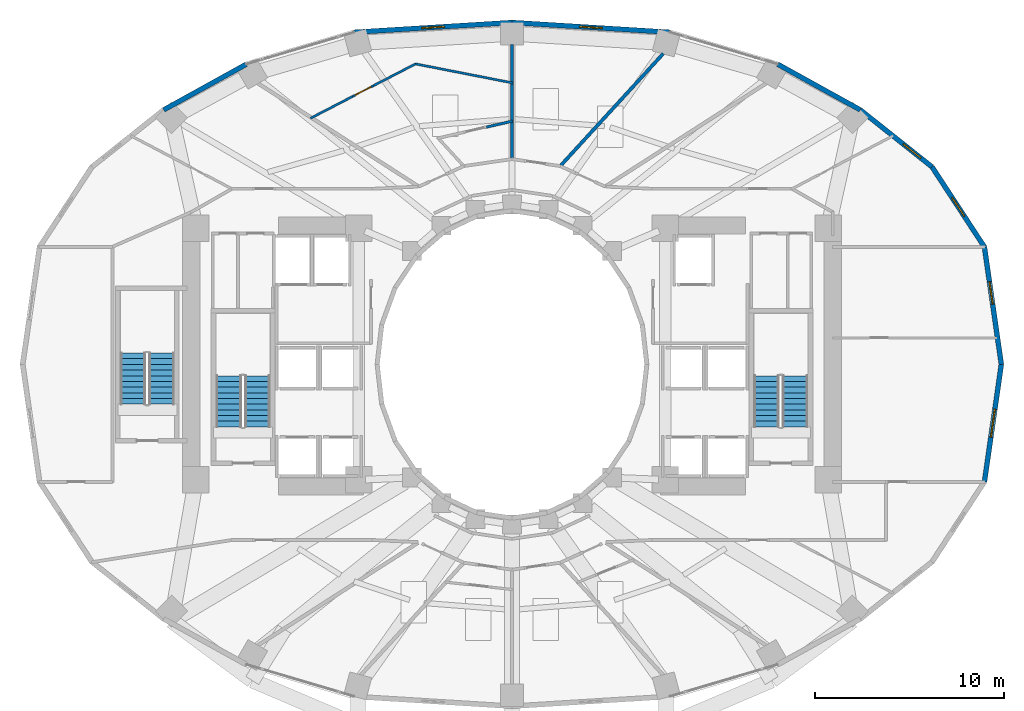
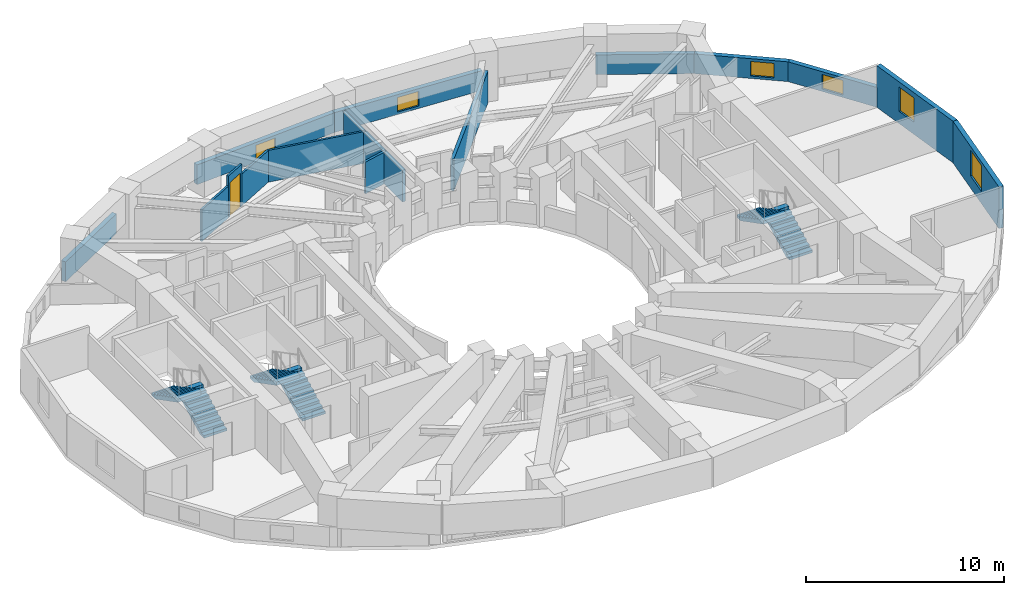
# One storey, part 14 of 17: 15 walls, 6 stair flights, 6 windows, 1 door, 7 openings, 3 elements without a shape of their own.
"""IFC4 building model written with IfcOpenShell, lengths in metres."""

from ifc_helpers import new_model, si_unit, direction, frame, frame_2d, origin, place, context, subcontext, project, spatial, polyline, rectangle, outline, extrude, material, layer, layer_set, type_object, element, fill, aggregate, save


model = new_model("IFC4")

# Units and contexts
model_context = context("Model", 3, precision=1e-05, world=origin(), true_north=direction((0.0, 1.0)))
body_context = subcontext(model_context, "Body", "Model", "MODEL_VIEW")
ifc_project = project(units=[si_unit("LENGTHUNIT", "METRE"), si_unit("AREAUNIT", "SQUARE_METRE"), si_unit("VOLUMEUNIT", "CUBIC_METRE"), si_unit("PLANEANGLEUNIT", "RADIAN"), si_unit("MASSUNIT", "GRAM", prefix="KILO")], contexts=[model_context])

# Site, building, storey
site_placement = place(None, origin())
site = spatial("IfcSite", under=ifc_project, at=site_placement, CompositionType="ELEMENT")
building_placement = place(site_placement, origin())
building = spatial("IfcBuilding", under=site, at=building_placement, Name="Solvane Sanctuary Tower", CompositionType="ELEMENT")
storey_placement = place(building_placement, frame((0.0, 0.0, 52.39990234375)))
storey = spatial("IfcBuildingStorey", under=building, at=storey_placement, Name="L15", CompositionType="ELEMENT", Elevation=52.39990234375)

# Wall, opening, window
ifc_material_1 = material(Name="Precast concrete C40/50", Category="concrete")
ifc_layer_1 = layer(ifc_material_1, 0.260009765625, Name="Precast concrete C40/50")
ifc_layer_set_1 = layer_set([ifc_layer_1], Name="Precast concrete C40/50")
wall_type_1 = type_object("IfcWallType", Name="Wall W-EXT-250", PredefinedType="STANDARD", material=ifc_layer_set_1)
wall_1_placement = place(storey_placement, frame((57.860107421875, 23.0, 0.0), z_axis=(0.0, 0.0, 1.0), x_axis=(-0.142528001686, 0.989790770181, 0.0)))
wall_1 = element("IfcWall", 1, at=wall_1_placement, inside=storey, type_object=wall_type_1, Name="L15 Ceramic-Printed Facade Wall 00", PredefinedType="STANDARD", context=body_context, shape_type="SweptSolid", body=[
    extrude(rectangle(XDim=6.269287109375, YDim=0.260009765625, at=frame_2d((3.134765625, 0.0))), origin(), (0.0, 0.0, 1.0), 2.570068359375),
])
opening_1_placement = place(wall_1_placement, frame((3.216796875, 0.0, 0.75)))
opening_1 = element("IfcOpeningElement", 2, at=opening_1_placement, cuts=wall_1, Name="Opening WN-OPER-1200", PredefinedType="OPENING", context=body_context, shape_type="SweptSolid", body=[
    extrude(rectangle(XDim=1.199951171875, YDim=1.5, at=frame_2d((0.60009765625, 0.75))), frame((0.0, 0.139892578125, 0.0), z_axis=(0.0, -1.0, 0.0), x_axis=(1.0, 0.0, 0.0)), (0.0, 0.0, 1.0), 0.280029296875),
])
ifc_material_2 = material(Name="Dark Ceramic-Fritted Low-E Glass", Category="glass")
window_type_1 = type_object("IfcWindowType", Name="Window WN-OPER-1200", PartitioningType="SINGLE_PANEL", PredefinedType="WINDOW", material=ifc_material_2)
window_1_placement = place(opening_1_placement, origin())
window_1 = element("IfcWindow", 3, at=window_1_placement, inside=storey, type_object=window_type_1, Name="L15 Operable Facade Window 00", OverallHeight=1.5, OverallWidth=1.199951171875, PartitioningType="SINGLE_PANEL", PredefinedType="WINDOW", context=body_context, shape_type="SweptSolid", body=[
    extrude(rectangle(XDim=1.199951171875, YDim=1.5, at=frame_2d((0.60009765625, 0.75))), frame((0.0, 0.030029296875, 0.0), z_axis=(0.0, -1.0, 0.0), x_axis=(1.0, 0.0, 0.0)), (0.0, 0.0, 1.0), 0.06005859375),
])
fill(opening_1, window_1)

wall_2_placement = place(storey_placement, frame((56.966552734375, 29.205322265625, 0.0), z_axis=(0.0, 0.0, 1.0), x_axis=(-0.547702757047, 0.836672988642, 0.0)))
wall_2 = element("IfcWall", 4, at=wall_2_placement, inside=storey, type_object=wall_type_1, Name="L15 Ceramic-Printed Facade Wall 01", PredefinedType="STANDARD", context=body_context, shape_type="SweptSolid", body=[
    extrude(rectangle(XDim=5.0625, YDim=0.260009765625, at=frame_2d((2.53125, 0.0))), origin(), (0.0, 0.0, 1.0), 1.22021484375),
])
opening_2_placement = place(wall_2_placement, frame((1.931396484375, 0.0, 0.14990234375)))
opening_2 = element("IfcOpeningElement", 5, at=opening_2_placement, cuts=wall_2, Name="Opening WN-OPER-1200", PredefinedType="OPENING", context=body_context, shape_type="SweptSolid", body=[
    extrude(rectangle(XDim=1.199951171875, YDim=0.89990234375, at=frame_2d((0.60009765625, 0.449951171875))), frame((0.0, 0.139892578125, 0.0), z_axis=(0.0, -1.0, 0.0), x_axis=(1.0, 0.0, 0.0)), (0.0, 0.0, 1.0), 0.280029296875),
])
window_2_placement = place(opening_2_placement, origin())
window_2 = element("IfcWindow", 6, at=window_2_placement, inside=storey, type_object=window_type_1, Name="L15 Operable Facade Window 01", OverallHeight=0.89990234375, OverallWidth=1.199951171875, PartitioningType="SINGLE_PANEL", PredefinedType="WINDOW", context=body_context, shape_type="SweptSolid", body=[
    extrude(rectangle(XDim=1.199951171875, YDim=0.89990234375, at=frame_2d((0.60009765625, 0.449951171875))), frame((0.0, 0.030029296875, 0.0), z_axis=(0.0, -1.0, 0.0), x_axis=(1.0, 0.0, 0.0)), (0.0, 0.0, 1.0), 0.06005859375),
])
fill(opening_2, window_2)

wall_3_placement = place(storey_placement, frame((54.19384765625, 33.44091796875, 0.0), z_axis=(0.0, 0.0, 1.0), x_axis=(-0.783123133379, 0.621866672179, 0.0)))
wall_3 = element("IfcWall", 7, at=wall_3_placement, inside=storey, type_object=wall_type_1, Name="L15 Ceramic-Printed Facade Wall 02", PredefinedType="STANDARD", context=body_context, shape_type="SweptSolid", body=[
    extrude(rectangle(XDim=4.838623046875, YDim=0.260009765625, at=frame_2d((2.41943359375, 0.0))), origin(), (0.0, 0.0, 1.0), 1.22021484375),
])
opening_3_placement = place(wall_3_placement, frame((0.740966796875, 0.0, 0.14990234375)))
opening_3 = element("IfcOpeningElement", 8, at=opening_3_placement, cuts=wall_3, Name="Opening WN-OPER-1200", PredefinedType="OPENING", context=body_context, shape_type="SweptSolid", body=[
    extrude(rectangle(XDim=1.199951171875, YDim=0.89990234375, at=frame_2d((0.60009765625, 0.449951171875))), frame((0.0, 0.139892578125, 0.0), z_axis=(0.0, -1.0, 0.0), x_axis=(1.0, 0.0, 0.0)), (0.0, 0.0, 1.0), 0.280029296875),
])
window_3_placement = place(opening_3_placement, origin())
window_3 = element("IfcWindow", 9, at=window_3_placement, inside=storey, type_object=window_type_1, Name="L15 Operable Facade Window 02", OverallHeight=0.89990234375, OverallWidth=1.199951171875, PartitioningType="SINGLE_PANEL", PredefinedType="WINDOW", context=body_context, shape_type="SweptSolid", body=[
    extrude(rectangle(XDim=1.199951171875, YDim=0.89990234375, at=frame_2d((0.60009765625, 0.449951171875))), frame((0.0, 0.030029296875, 0.0), z_axis=(0.0, -1.0, 0.0), x_axis=(1.0, 0.0, 0.0)), (0.0, 0.0, 1.0), 0.06005859375),
])
fill(opening_3, window_3)

# Wall
wall_4_placement = place(storey_placement, frame((50.404541015625, 36.449951171875, 0.0), z_axis=(0.0, 0.0, 1.0), x_axis=(-0.875137303239, 0.483874674352, 0.0)))
element("IfcWall", 10, at=wall_4_placement, inside=storey, type_object=wall_type_1, Name="L15 Ceramic-Printed Facade Wall 03", PredefinedType="STANDARD", context=body_context, shape_type="SweptSolid", body=[
    extrude(rectangle(XDim=4.985107421875, YDim=0.260009765625, at=frame_2d((2.49267578125, 0.0))), origin(), (0.0, 0.0, 1.0), 1.22021484375),
])

# Wall, opening, window
wall_5_placement = place(storey_placement, frame((40.331787109375, 40.552978515625, 0.0), z_axis=(0.0, 0.0, 1.0), x_axis=(-0.998090514779, 0.061768311519, 0.0)))
wall_5 = element("IfcWall", 11, at=wall_5_placement, inside=storey, type_object=wall_type_1, Name="L15 Ceramic-Printed Facade Wall 05", PredefinedType="STANDARD", context=body_context, shape_type="SweptSolid", body=[
    extrude(rectangle(XDim=8.34765625, YDim=0.260009765625, at=frame_2d((4.173828125, 0.0))), origin(), (0.0, 0.0, 1.0), 1.22021484375),
])
opening_4_placement = place(wall_5_placement, frame((3.57373046875, 0.0, 0.14990234375)))
opening_4 = element("IfcOpeningElement", 12, at=opening_4_placement, cuts=wall_5, Name="Opening WN-OPER-1200", PredefinedType="OPENING", context=body_context, shape_type="SweptSolid", body=[
    extrude(rectangle(XDim=1.199951171875, YDim=0.89990234375, at=frame_2d((0.60009765625, 0.449951171875))), frame((0.0, 0.139892578125, 0.0), z_axis=(0.0, -1.0, 0.0), x_axis=(1.0, 0.0, 0.0)), (0.0, 0.0, 1.0), 0.280029296875),
])
window_4_placement = place(opening_4_placement, origin())
window_4 = element("IfcWindow", 13, at=window_4_placement, inside=storey, type_object=window_type_1, Name="L15 Operable Facade Window 05", OverallHeight=0.89990234375, OverallWidth=1.199951171875, PartitioningType="SINGLE_PANEL", PredefinedType="WINDOW", context=body_context, shape_type="SweptSolid", body=[
    extrude(rectangle(XDim=1.199951171875, YDim=0.89990234375, at=frame_2d((0.60009765625, 0.449951171875))), frame((0.0, 0.030029296875, 0.0), z_axis=(0.0, -1.0, 0.0), x_axis=(1.0, 0.0, 0.0)), (0.0, 0.0, 1.0), 0.06005859375),
])
fill(opening_4, window_4)

wall_6_placement = place(storey_placement, frame((32.0, 41.068603515625, 0.0), z_axis=(0.0, 0.0, 1.0), x_axis=(-0.998090514779, -0.061768311519, 0.0)))
wall_6 = element("IfcWall", 14, at=wall_6_placement, inside=storey, type_object=wall_type_1, Name="L15 Ceramic-Printed Facade Wall 06", PredefinedType="STANDARD", context=body_context, shape_type="SweptSolid", body=[
    extrude(rectangle(XDim=8.34765625, YDim=0.260009765625, at=frame_2d((4.173828125, 0.0))), origin(), (0.0, 0.0, 1.0), 1.22021484375),
])
opening_5_placement = place(wall_6_placement, frame((3.57373046875, 0.0, 0.14990234375)))
opening_5 = element("IfcOpeningElement", 15, at=opening_5_placement, cuts=wall_6, Name="Opening WN-OPER-1200", PredefinedType="OPENING", context=body_context, shape_type="SweptSolid", body=[
    extrude(rectangle(XDim=1.199951171875, YDim=0.89990234375, at=frame_2d((0.60009765625, 0.449951171875))), frame((0.0, 0.139892578125, 0.0), z_axis=(0.0, -1.0, 0.0), x_axis=(1.0, 0.0, 0.0)), (0.0, 0.0, 1.0), 0.280029296875),
])
window_5_placement = place(opening_5_placement, origin())
window_5 = element("IfcWindow", 16, at=window_5_placement, inside=storey, type_object=window_type_1, Name="L15 Operable Facade Window 06", OverallHeight=0.89990234375, OverallWidth=1.199951171875, PartitioningType="SINGLE_PANEL", PredefinedType="WINDOW", context=body_context, shape_type="SweptSolid", body=[
    extrude(rectangle(XDim=1.199951171875, YDim=0.89990234375, at=frame_2d((0.60009765625, 0.449951171875))), frame((0.0, 0.030029296875, 0.0), z_axis=(0.0, -1.0, 0.0), x_axis=(1.0, 0.0, 0.0)), (0.0, 0.0, 1.0), 0.06005859375),
])
fill(opening_5, window_5)

# Wall
wall_7_placement = place(storey_placement, frame((17.9580078125, 38.862060546875, 0.0), z_axis=(0.0, 0.0, 1.0), x_axis=(-0.875137303239, -0.483874674352, 0.0)))
element("IfcWall", 17, at=wall_7_placement, inside=storey, type_object=wall_type_1, Name="L15 Ceramic-Printed Facade Wall 08", PredefinedType="STANDARD", context=body_context, shape_type="SweptSolid", body=[
    extrude(rectangle(XDim=4.985107421875, YDim=0.260009765625, at=frame_2d((2.49267578125, 0.0))), origin(), (0.0, 0.0, 1.0), 1.22021484375),
])

# Wall, opening, window
wall_8_placement = place(storey_placement, frame((56.966552734375, 16.794677734375, 0.0), z_axis=(0.0, 0.0, 1.0), x_axis=(0.142528001686, 0.989790770181, 0.0)))
wall_8 = element("IfcWall", 18, at=wall_8_placement, inside=storey, type_object=wall_type_1, Name="L15 Ceramic-Printed Facade Wall 23", PredefinedType="STANDARD", context=body_context, shape_type="SweptSolid", body=[
    extrude(rectangle(XDim=6.269287109375, YDim=0.260009765625, at=frame_2d((3.134765625, 0.0))), origin(), (0.0, 0.0, 1.0), 2.570068359375),
])
opening_6_placement = place(wall_8_placement, frame((2.384521484375, 0.0, 0.75)))
opening_6 = element("IfcOpeningElement", 19, at=opening_6_placement, cuts=wall_8, Name="Opening WN-OPER-1500", PredefinedType="OPENING", context=body_context, shape_type="SweptSolid", body=[
    extrude(rectangle(XDim=1.5, YDim=1.60009765625, at=frame_2d((0.75, 0.800048828125))), frame((0.0, 0.139892578125, 0.0), z_axis=(0.0, -1.0, 0.0), x_axis=(1.0, 0.0, 0.0)), (0.0, 0.0, 1.0), 0.280029296875),
])
window_type_2 = type_object("IfcWindowType", Name="Window WN-OPER-1500", PartitioningType="SINGLE_PANEL", PredefinedType="WINDOW", material=ifc_material_2)
window_6_placement = place(opening_6_placement, origin())
window_6 = element("IfcWindow", 20, at=window_6_placement, inside=storey, type_object=window_type_2, Name="L15 Operable Facade Window 23", OverallHeight=1.60009765625, OverallWidth=1.5, PartitioningType="SINGLE_PANEL", PredefinedType="WINDOW", context=body_context, shape_type="SweptSolid", body=[
    extrude(rectangle(XDim=1.5, YDim=1.60009765625, at=frame_2d((0.75, 0.800048828125))), frame((0.0, 0.030029296875, 0.0), z_axis=(0.0, -1.0, 0.0), x_axis=(1.0, 0.0, 0.0)), (0.0, 0.0, 1.0), 0.06005859375),
])
fill(opening_6, window_6)

# Walls
ifc_material_3 = material(Name="Acoustic Gypsum Partition Board")
ifc_layer_2 = layer(ifc_material_3, 0.1201171875, Name="Acoustic Gypsum Partition Board")
ifc_layer_set_2 = layer_set([ifc_layer_2], Name="Acoustic Gypsum Partition Board")
wall_type_2 = type_object("IfcWallType", Name="Wall W-MOV-100", PredefinedType="MOVABLE", material=ifc_layer_set_2)
wall_9_placement = place(storey_placement, frame((32.049072265625, 37.87109375, 0.0), z_axis=(0.0, 0.0, 1.0), x_axis=(-0.981343325718, 0.192263561471, 0.0)))
element("IfcWall", 21, at=wall_9_placement, inside=storey, type_object=wall_type_2, Name="L15 Suite Sitting Lounge Partition N3", PredefinedType="MOVABLE", context=body_context, shape_type="SweptSolid", body=[
    extrude(rectangle(XDim=5.254638671875, YDim=0.1201171875, at=frame_2d((2.62744140625, 0.0))), origin(), (0.0, 0.0, 1.0), 1.95703125),
])
wall_10_placement = place(storey_placement, frame((26.911376953125, 38.884033203125, 0.0), z_axis=(0.0, 0.0, 1.0), x_axis=(-0.888145903538, -0.459561588939, 0.0)))
element("IfcWall", 22, at=wall_10_placement, inside=storey, type_object=wall_type_2, Name="L15 Suite Sitting Lounge Partition N3", PredefinedType="MOVABLE", context=body_context, shape_type="SweptSolid", body=[
    extrude(rectangle(XDim=2.490478515625, YDim=0.1201171875, at=frame_2d((1.2451171875, 0.0))), origin(), (0.0, 0.0, 1.0), 1.95703125),
])

# Wall, opening, door
wall_11_placement = place(storey_placement, frame((24.699462890625, 37.739501953125, 0.0), z_axis=(0.0, 0.0, 1.0), x_axis=(-0.888190589687, -0.459475218474, 0.0)))
wall_11 = element("IfcWall", 23, at=wall_11_placement, inside=storey, type_object=wall_type_2, Name="L15 Suite Sitting Lounge Partition N3", PredefinedType="MOVABLE", context=body_context, shape_type="SweptSolid", body=[
    extrude(rectangle(XDim=1.27001953125, YDim=0.1201171875, at=frame_2d((0.635009765625, 0.0))), origin(), (0.0, 0.0, 1.0), 2.5751953125),
])
opening_7_placement = place(wall_11_placement, frame((0.159912109375, 0.0, 0.0)))
opening_7 = element("IfcOpeningElement", 24, at=opening_7_placement, cuts=wall_11, Name="Opening D-L15-22", PredefinedType="OPENING", context=body_context, shape_type="SweptSolid", body=[
    extrude(rectangle(XDim=0.949951171875, YDim=2.10009765625, at=frame_2d((0.47509765625, 1.050048828125))), frame((0.0, 0.070068359375, 0.0), z_axis=(0.0, -1.0, 0.0), x_axis=(1.0, 0.0, 0.0)), (0.0, 0.0, 1.0), 0.14013671875),
])
ifc_material_4 = material(Name="Engineered Tropical Hardwood", Category="wood")
door_type = type_object("IfcDoorType", Name="Door D-ROOM-950", OperationType="NOTDEFINED", PredefinedType="DOOR", material=ifc_material_4)
door_placement = place(opening_7_placement, origin())
door = element("IfcDoor", 25, at=door_placement, inside=storey, type_object=door_type, Name="L15 Suite Sitting Lounge Door N3", OperationType="SINGLE_SWING_LEFT", OverallHeight=2.10009765625, OverallWidth=0.949951171875, PredefinedType="DOOR", context=body_context, shape_type="SweptSolid", body=[
    extrude(rectangle(XDim=0.949951171875, YDim=2.10009765625, at=frame_2d((0.47509765625, 1.050048828125))), frame((0.0, 0.02490234375, 0.0), z_axis=(0.0, -1.0, 0.0), x_axis=(1.0, 0.0, 0.0)), (0.0, 0.0, 1.0), 0.050048828125),
])
fill(opening_7, door)

# Walls
wall_12_placement = place(storey_placement, frame((23.571533203125, 37.156005859375, 0.0), z_axis=(0.0, 0.0, 1.0), x_axis=(-0.888145903538, -0.459561588939, 0.0)))
element("IfcWall", 26, at=wall_12_placement, inside=storey, type_object=wall_type_2, Name="L15 Suite Sitting Lounge Partition N3", PredefinedType="MOVABLE", context=body_context, shape_type="SweptSolid", body=[
    extrude(rectangle(XDim=2.490478515625, YDim=0.1201171875, at=frame_2d((1.2451171875, 0.0))), origin(), (0.0, 0.0, 1.0), 1.95703125),
])
ifc_layer_3 = layer(ifc_material_3, 0.179931640625, Name="Acoustic Gypsum Partition Board")
ifc_layer_set_3 = layer_set([ifc_layer_3], Name="Acoustic Gypsum Partition Board")
wall_type_3 = type_object("IfcWallType", Name="Wall W-UNIT-180", PredefinedType="PARTITIONING", material=ifc_layer_set_3)
wall_13_placement = place(storey_placement, frame((34.58642578125, 33.52099609375, 0.0), z_axis=(0.0, 0.0, 1.0), x_axis=(0.675465011224, 0.737392038615, 0.0)))
element("IfcWall", 27, at=wall_13_placement, inside=storey, type_object=wall_type_3, Name="L15 Radial Compartment Wall 075", PredefinedType="PARTITIONING", context=body_context, shape_type="SweptSolid", body=[
    extrude(rectangle(XDim=8.007080078125, YDim=0.179931640625, at=frame_2d((4.00341796875, 0.0))), origin(), (0.0, 0.0, 1.0), 1.95703125),
])
wall_14_placement = place(storey_placement, frame((32.0, 33.905029296875, 0.0), z_axis=(0.0, 0.0, 1.0), x_axis=(0.0, 1.0, 0.0)))
element("IfcWall", 28, at=wall_14_placement, inside=storey, type_object=wall_type_3, Name="L15 Radial Compartment Wall 090", PredefinedType="PARTITIONING", context=body_context, shape_type="SweptSolid", body=[
    extrude(rectangle(XDim=5.994873046875, YDim=0.179931640625, at=frame_2d((2.99755859375, 0.0))), origin(), (0.0, 0.0, 1.0), 1.95703125),
])
ifc_layer_4 = layer(ifc_material_3, 0.139892578125, Name="Acoustic Gypsum Partition Board")
ifc_layer_set_4 = layer_set([ifc_layer_4], Name="Acoustic Gypsum Partition Board")
wall_type_4 = type_object("IfcWallType", Name="Wall W-WET-140", PredefinedType="PLUMBINGWALL", material=ifc_layer_set_4)
wall_15_placement = place(storey_placement, frame((32.048583984375, 35.861083984375, 0.0), z_axis=(0.0, 0.0, 1.0), x_axis=(-0.974701562934, -0.223510320151, 0.0)))
element("IfcWall", 29, at=wall_15_placement, inside=storey, type_object=wall_type_4, Name="L15 En-suite Bedroom Wall N3", PredefinedType="PLUMBINGWALL", context=body_context, shape_type="SweptSolid", body=[
    extrude(rectangle(XDim=1.440673828125, YDim=0.139892578125, at=frame_2d((0.72021484375, 0.0))), origin(), (0.0, 0.0, 1.0), 1.95703125),
])

# Stair, stair flights
ifc_material_5 = material(Name="Concrete C45/55", Category="concrete")
stair_type = type_object("IfcStairType", Name="Stair ST-TOW", PredefinedType="HALF_TURN_STAIR", material=ifc_material_5)
stair_1_placement = place(storey_placement, origin())
stair_1 = element("IfcStair", 30, at=stair_1_placement, inside=storey, type_object=stair_type, Name="L15 Exit Stair ST-1 West Core", PredefinedType="HALF_TURN_STAIR")
stair_flight_type = type_object("IfcStairFlightType", Name="StairFlight SF-TOW", PredefinedType="STRAIGHT", material=ifc_material_5)
stair_flight_1_placement = place(storey_placement, frame((18.544921875, 19.699951171875, 0.0), z_axis=(0.0, 0.0, 1.0), x_axis=(0.0, 1.0, 0.0)))
stair_flight_1 = element("IfcStairFlight", 31, at=stair_flight_1_placement, type_object=stair_flight_type, Name="ST-1 flight 1", NumberOfRisers=10, NumberOfTreads=9, PredefinedType="STRAIGHT", RiserHeight=0.155, TreadLength=0.3, context=body_context, shape_type="SweptSolid", body=[
    extrude(outline(polyline([(0.0, 0.0), (0.0, 0.155029296875), (0.300048828125, 0.155029296875), (0.300048828125, 0.31005859375), (0.60009765625, 0.31005859375), (0.60009765625, 0.465087890625), (0.89990234375, 0.465087890625), (0.89990234375, 0.6201171875), (1.199951171875, 0.6201171875), (1.199951171875, 0.77490234375), (1.5, 0.77490234375), (1.5, 0.929931640625), (1.800048828125, 0.929931640625), (1.800048828125, 1.0849609375), (2.10009765625, 1.0849609375), (2.10009765625, 1.239990234375), (2.39990234375, 1.239990234375), (2.39990234375, 1.39501953125), (2.699951171875, 1.39501953125), (2.699951171875, 1.550048828125), (2.699951171875, 1.1923828125), (0.39208984375, 0.0), (0.0, 0.0)])), frame((0.0, 0.675048828125, 0.0), z_axis=(0.0, -1.0, 0.0), x_axis=(1.0, 0.0, 0.0)), (0.0, 0.0, 1.0), 1.35009765625),
])
stair_flight_2_placement = place(storey_placement, frame((17.034912109375, 22.39990234375, 1.550048828125), z_axis=(0.0, 0.0, 1.0), x_axis=(0.0, -1.0, 0.0)))
stair_flight_2 = element("IfcStairFlight", 32, at=stair_flight_2_placement, type_object=stair_flight_type, Name="ST-1 flight 2", NumberOfRisers=10, NumberOfTreads=9, PredefinedType="STRAIGHT", RiserHeight=0.155, TreadLength=0.3, context=body_context, shape_type="SweptSolid", body=[
    extrude(outline(polyline([(0.0, 0.0), (0.0, 0.155029296875), (0.300048828125, 0.155029296875), (0.300048828125, 0.31005859375), (0.60009765625, 0.31005859375), (0.60009765625, 0.465087890625), (0.89990234375, 0.465087890625), (0.89990234375, 0.6201171875), (1.199951171875, 0.6201171875), (1.199951171875, 0.77490234375), (1.5, 0.77490234375), (1.5, 0.929931640625), (1.800048828125, 0.929931640625), (1.800048828125, 1.0849609375), (2.10009765625, 1.0849609375), (2.10009765625, 1.239990234375), (2.39990234375, 1.239990234375), (2.39990234375, 1.39501953125), (2.699951171875, 1.39501953125), (2.699951171875, 1.550048828125), (2.699951171875, 1.1923828125), (0.39208984375, 0.0), (0.0, 0.0)])), frame((0.0, 0.675048828125, 0.0), z_axis=(0.0, -1.0, 0.0), x_axis=(1.0, 0.0, 0.0)), (0.0, 0.0, 1.0), 1.35009765625),
])
aggregate(stair_1, [stair_flight_1, stair_flight_2])

stair_2_placement = place(storey_placement, origin())
stair_2 = element("IfcStair", 33, at=stair_2_placement, inside=storey, type_object=stair_type, Name="L15 Exit Stair ST-2 East Core", PredefinedType="HALF_TURN_STAIR")
stair_flight_3_placement = place(storey_placement, frame((46.965087890625, 19.699951171875, 0.0), z_axis=(0.0, 0.0, 1.0), x_axis=(0.0, 1.0, 0.0)))
stair_flight_3 = element("IfcStairFlight", 34, at=stair_flight_3_placement, type_object=stair_flight_type, Name="ST-2 flight 1", NumberOfRisers=10, NumberOfTreads=9, PredefinedType="STRAIGHT", RiserHeight=0.155, TreadLength=0.3, context=body_context, shape_type="SweptSolid", body=[
    extrude(outline(polyline([(0.0, 0.0), (0.0, 0.155029296875), (0.300048828125, 0.155029296875), (0.300048828125, 0.31005859375), (0.60009765625, 0.31005859375), (0.60009765625, 0.465087890625), (0.89990234375, 0.465087890625), (0.89990234375, 0.6201171875), (1.199951171875, 0.6201171875), (1.199951171875, 0.77490234375), (1.5, 0.77490234375), (1.5, 0.929931640625), (1.800048828125, 0.929931640625), (1.800048828125, 1.0849609375), (2.10009765625, 1.0849609375), (2.10009765625, 1.239990234375), (2.39990234375, 1.239990234375), (2.39990234375, 1.39501953125), (2.699951171875, 1.39501953125), (2.699951171875, 1.550048828125), (2.699951171875, 1.1923828125), (0.39208984375, 0.0), (0.0, 0.0)])), frame((0.0, 0.675048828125, 0.0), z_axis=(0.0, -1.0, 0.0), x_axis=(1.0, 0.0, 0.0)), (0.0, 0.0, 1.0), 1.35009765625),
])
stair_flight_4_placement = place(storey_placement, frame((45.455078125, 22.39990234375, 1.550048828125), z_axis=(0.0, 0.0, 1.0), x_axis=(0.0, -1.0, 0.0)))
stair_flight_4 = element("IfcStairFlight", 35, at=stair_flight_4_placement, type_object=stair_flight_type, Name="ST-2 flight 2", NumberOfRisers=10, NumberOfTreads=9, PredefinedType="STRAIGHT", RiserHeight=0.155, TreadLength=0.3, context=body_context, shape_type="SweptSolid", body=[
    extrude(outline(polyline([(0.0, 0.0), (0.0, 0.155029296875), (0.300048828125, 0.155029296875), (0.300048828125, 0.31005859375), (0.60009765625, 0.31005859375), (0.60009765625, 0.465087890625), (0.89990234375, 0.465087890625), (0.89990234375, 0.6201171875), (1.199951171875, 0.6201171875), (1.199951171875, 0.77490234375), (1.5, 0.77490234375), (1.5, 0.929931640625), (1.800048828125, 0.929931640625), (1.800048828125, 1.0849609375), (2.10009765625, 1.0849609375), (2.10009765625, 1.239990234375), (2.39990234375, 1.239990234375), (2.39990234375, 1.39501953125), (2.699951171875, 1.39501953125), (2.699951171875, 1.550048828125), (2.699951171875, 1.1923828125), (0.39208984375, 0.0), (0.0, 0.0)])), frame((0.0, 0.675048828125, 0.0), z_axis=(0.0, -1.0, 0.0), x_axis=(1.0, 0.0, 0.0)), (0.0, 0.0, 1.0), 1.35009765625),
])
aggregate(stair_2, [stair_flight_3, stair_flight_4])

stair_3_placement = place(storey_placement, origin())
stair_3 = element("IfcStair", 36, at=stair_3_placement, inside=storey, type_object=stair_type, Name="L15 Exit Stair ST-3 Pilgrim Tower Stair", PredefinedType="HALF_TURN_STAIR")
stair_flight_5_placement = place(storey_placement, frame((13.485107421875, 20.89990234375, 0.0), z_axis=(0.0, 0.0, 1.0), x_axis=(0.0, 1.0, 0.0)))
stair_flight_5 = element("IfcStairFlight", 37, at=stair_flight_5_placement, type_object=stair_flight_type, Name="ST-3 flight 1", NumberOfRisers=10, NumberOfTreads=9, PredefinedType="STRAIGHT", RiserHeight=0.155, TreadLength=0.3, context=body_context, shape_type="SweptSolid", body=[
    extrude(outline(polyline([(0.0, 0.0), (0.0, 0.155029296875), (0.300048828125, 0.155029296875), (0.300048828125, 0.31005859375), (0.60009765625, 0.31005859375), (0.60009765625, 0.465087890625), (0.89990234375, 0.465087890625), (0.89990234375, 0.6201171875), (1.199951171875, 0.6201171875), (1.199951171875, 0.77490234375), (1.5, 0.77490234375), (1.5, 0.929931640625), (1.800048828125, 0.929931640625), (1.800048828125, 1.0849609375), (2.10009765625, 1.0849609375), (2.10009765625, 1.239990234375), (2.39990234375, 1.239990234375), (2.39990234375, 1.39501953125), (2.699951171875, 1.39501953125), (2.699951171875, 1.550048828125), (2.699951171875, 1.1923828125), (0.39208984375, 0.0), (0.0, 0.0)])), frame((0.0, 0.675048828125, 0.0), z_axis=(0.0, -1.0, 0.0), x_axis=(1.0, 0.0, 0.0)), (0.0, 0.0, 1.0), 1.35009765625),
])
stair_flight_6_placement = place(storey_placement, frame((11.97509765625, 23.60009765625, 1.550048828125), z_axis=(0.0, 0.0, 1.0), x_axis=(0.0, -1.0, 0.0)))
stair_flight_6 = element("IfcStairFlight", 38, at=stair_flight_6_placement, type_object=stair_flight_type, Name="ST-3 flight 2", NumberOfRisers=10, NumberOfTreads=9, PredefinedType="STRAIGHT", RiserHeight=0.155, TreadLength=0.3, context=body_context, shape_type="SweptSolid", body=[
    extrude(outline(polyline([(0.0, 0.0), (0.0, 0.155029296875), (0.300048828125, 0.155029296875), (0.300048828125, 0.31005859375), (0.60009765625, 0.31005859375), (0.60009765625, 0.465087890625), (0.89990234375, 0.465087890625), (0.89990234375, 0.6201171875), (1.199951171875, 0.6201171875), (1.199951171875, 0.77490234375), (1.5, 0.77490234375), (1.5, 0.929931640625), (1.800048828125, 0.929931640625), (1.800048828125, 1.0849609375), (2.10009765625, 1.0849609375), (2.10009765625, 1.239990234375), (2.39990234375, 1.239990234375), (2.39990234375, 1.39501953125), (2.699951171875, 1.39501953125), (2.699951171875, 1.550048828125), (2.699951171875, 1.1923828125), (0.39208984375, 0.0), (0.0, 0.0)])), frame((0.0, 0.675048828125, 0.0), z_axis=(0.0, -1.0, 0.0), x_axis=(1.0, 0.0, 0.0)), (0.0, 0.0, 1.0), 1.35009765625),
])
aggregate(stair_3, [stair_flight_5, stair_flight_6])

save(model, "model.ifc")
